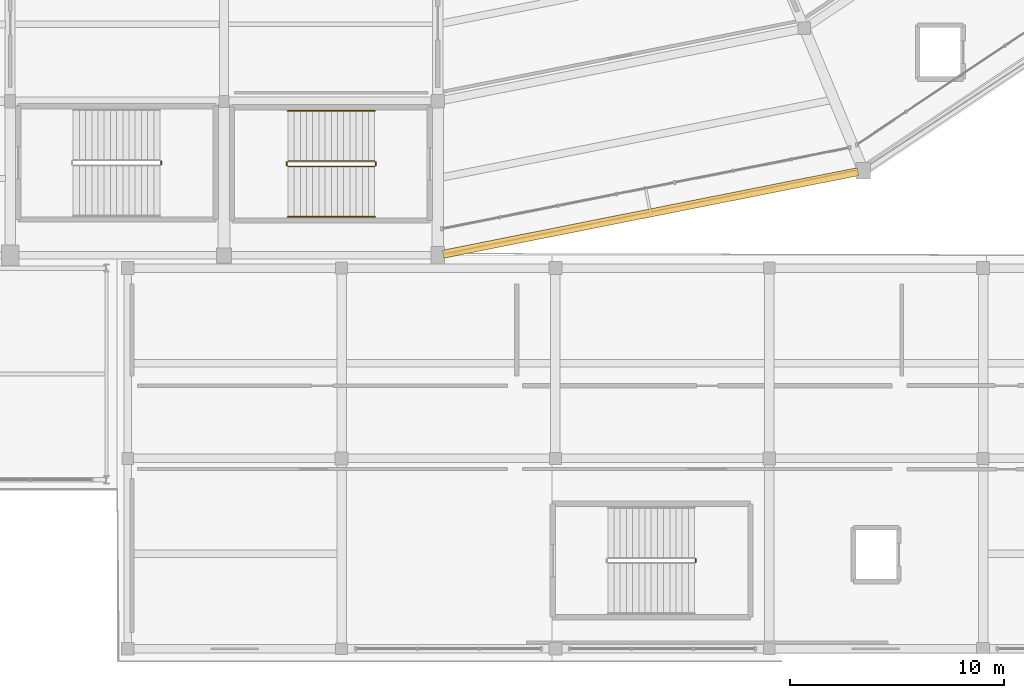
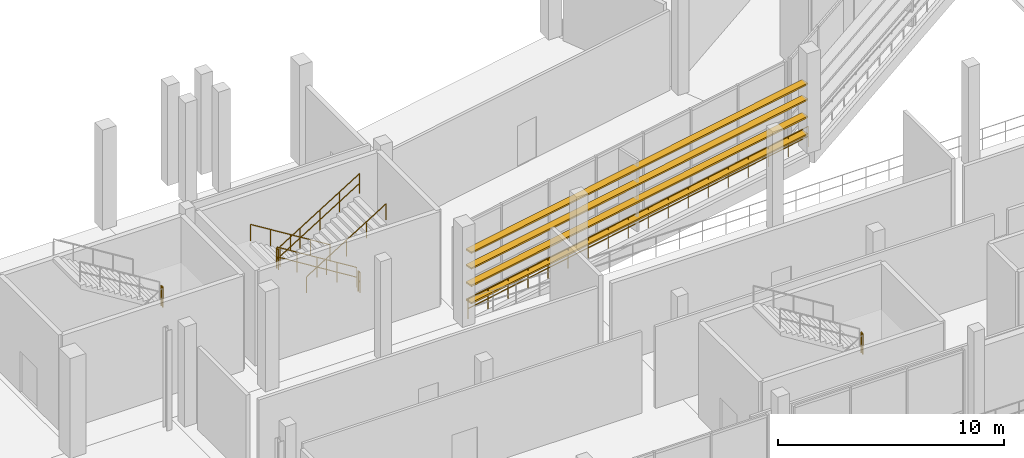
# One storey, part 100 of 111: 9 railings, 4 shading devices.
"""IFC4 building model written with IfcOpenShell, lengths in metres."""

import ifcopenshell
import ifcopenshell.guid

model = None  # the IFC model being written
_history = None  # IfcOwnerHistory: only IFC2X3 demands one
_inside = {}  # id of a spatial element -> (the spatial element, [elements in it])
_under = {}  # id of a project, library or spatial element -> (it, [spatial elements below it])
_declared = {}  # id of a project -> (the project, [libraries it declares])
_typed = {}  # id of a type object -> (the type object, [elements of that type])
_made_of = {}  # id of a material, layer set ... -> (it, [elements and type objects made of it])


def new_model(schema):
    """Start an empty IFC model of exactly this schema.

    Asked for "IFC4X3", IfcOpenShell would pick the latest addendum, in which some entities
    have other attributes; the version numbers below select the first issue.
    IFC2X3 requires an IfcOwnerHistory on every rooted entity: one is made here for all.
    """
    global model, _history
    if schema == "IFC4X3":
        model = ifcopenshell.file(schema_version=(4, 3, 0, 0))
    else:
        model = ifcopenshell.file(schema=schema)
    _inside.clear()
    _under.clear()
    _declared.clear()
    _typed.clear()
    _made_of.clear()
    _history = None
    if model.schema == "IFC2X3":
        org = make("IfcOrganization", Name="unknown")
        user = make(
            "IfcPersonAndOrganization",
            ThePerson=make("IfcPerson", FamilyName="unknown"),
            TheOrganization=org,
        )
        app = make(
            "IfcApplication",
            ApplicationDeveloper=org,
            Version="unknown",
            ApplicationFullName="unknown",
            ApplicationIdentifier="unknown",
        )
        _history = make(
            "IfcOwnerHistory",
            OwningUser=user,
            OwningApplication=app,
            ChangeAction="ADDED",
            CreationDate=0,
        )
    return model


def make(cls, **values):
    """One entity of the class cls with the attributes given. An attribute that is None is left unset."""
    return model.create_entity(
        cls, **{name: value for name, value in values.items() if value is not None}
    )


def rooted(cls, **values):
    """An entity with a GlobalId (a new one), such as an element, a storey or a relation."""
    return make(cls, GlobalId=ifcopenshell.guid.new(), OwnerHistory=_history, **values)


def si_unit(unit_type, name, prefix=None):
    """IfcSIUnit, for example si_unit("LENGTHUNIT", "METRE", prefix="MILLI")."""
    return make("IfcSIUnit", UnitType=unit_type, Prefix=prefix, Name=name)


def assignment(units):
    """IfcUnitAssignment: the units of a project."""
    return None if units is None else make("IfcUnitAssignment", Units=units)


def point(xyz):
    """IfcCartesianPoint."""
    return None if xyz is None else make("IfcCartesianPoint", Coordinates=xyz)


def direction(xyz):
    """IfcDirection."""
    return None if xyz is None else make("IfcDirection", DirectionRatios=xyz)


def frame(location, z_axis=None, x_axis=None):
    """IfcAxis2Placement3D, a coordinate frame: its origin and axes. An axis left out is left unset."""
    return make(
        "IfcAxis2Placement3D",
        Location=point(location),
        Axis=direction(z_axis),
        RefDirection=direction(x_axis),
    )


def frame_2d(location, x_axis=None):
    """IfcAxis2Placement2D, a coordinate frame in the plane: its origin and x axis."""
    return make(
        "IfcAxis2Placement2D", Location=point(location), RefDirection=direction(x_axis)
    )


def origin():
    """The frame at (0, 0, 0) with its axes left unset."""
    return frame((0.0, 0.0, 0.0))


def origin_2d():
    """The frame at (0, 0) in the plane with its x axis left unset."""
    return frame_2d((0.0, 0.0))


def place(relative_to, where):
    """IfcLocalPlacement: puts the frame where relative to a parent placement (None: the world)."""
    return make(
        "IfcLocalPlacement", PlacementRelTo=relative_to, RelativePlacement=where
    )


def context(
    kind, dimensions, precision=None, world=None, true_north=None, identifier=None
):
    """IfcGeometricRepresentationContext, for example the 3D "Model" context."""
    return make(
        "IfcGeometricRepresentationContext",
        ContextIdentifier=identifier,
        ContextType=kind,
        CoordinateSpaceDimension=dimensions,
        Precision=precision,
        WorldCoordinateSystem=world,
        TrueNorth=true_north,
    )


def subcontext(parent, identifier, kind, view, scale=None):
    """IfcGeometricRepresentationSubContext, for example "Body" below "Model"."""
    return make(
        "IfcGeometricRepresentationSubContext",
        ContextIdentifier=identifier,
        ContextType=kind,
        ParentContext=parent,
        TargetScale=scale,
        TargetView=view,
    )


def project(units=None, contexts=None):
    """IfcProject with its units and contexts."""
    return rooted(
        "IfcProject",
        Name="project",
        RepresentationContexts=contexts,
        UnitsInContext=assignment(units),
    )


def spatial(cls, under=None, at=None, **own):
    """A site, building, storey or space (cls), placed at a placement, below another one or the project."""
    s = rooted(cls, ObjectPlacement=at, **own)
    if under is not None:
        _under.setdefault(under.id(), (under, []))[1].append(s)
    return s


def profile(cls, at=None, kind="AREA", **sizes):
    """A parametric profile (cls). Its sizes go by their IFC names, for example OverallWidth=200.0."""
    return make(cls, ProfileType=kind, Position=at, **sizes)


def rectangle(**sizes):
    """IfcRectangleProfileDef."""
    return profile("IfcRectangleProfileDef", **sizes)


def circle(**sizes):
    """IfcCircleProfileDef."""
    return profile("IfcCircleProfileDef", **sizes)


def extrude(swept, where, along, depth):
    """IfcExtrudedAreaSolid: the profile swept, set in the frame where, extruded along a direction by depth."""
    return make(
        "IfcExtrudedAreaSolid",
        SweptArea=swept,
        Position=where,
        ExtrudedDirection=direction(along),
        Depth=depth,
    )


def shape(context_of_items, identifier, shape_type, items):
    """IfcShapeRepresentation: the items that make up one representation, for example the "Body"."""
    return make(
        "IfcShapeRepresentation",
        ContextOfItems=context_of_items,
        RepresentationIdentifier=identifier,
        RepresentationType=shape_type,
        Items=items,
    )


def material(Name=None, Category=None):
    """IfcMaterial."""
    return make("IfcMaterial", Name=Name, Category=Category)


def layer(
    of_material, thickness, ventilated=None, Name=None, Category=None, Priority=None
):
    """IfcMaterialLayer: one layer of a wall or slab, of a material (None: an air gap)."""
    return make(
        "IfcMaterialLayer",
        Material=of_material,
        LayerThickness=thickness,
        IsVentilated=ventilated,
        Name=Name,
        Category=Category,
        Priority=Priority,
    )


def layer_set(layers, Name=None):
    """IfcMaterialLayerSet."""
    return make("IfcMaterialLayerSet", MaterialLayers=layers, LayerSetName=Name)


def made_of(thing, what):
    """Note that an element or type object is made of a material, layer set ...; save() writes the relation."""
    if what is not None:
        _made_of.setdefault(what.id(), (what, []))[1].append(thing)
    return thing


def type_object(cls, material=None, **own):
    """A type object (cls), such as IfcWallType, which elements share."""
    return made_of(rooted(cls, **own), material)


def element(
    cls,
    number,
    at=None,
    inside=None,
    cuts=None,
    type_object=None,
    material=None,
    context=None,
    identifier="Body",
    shape_type=None,
    held_by="IfcProductDefinitionShape",
    body=None,
    shapes=None,
    **own,
):
    """One element of the class cls, such as IfcWall. Its Tag is "e" and its number.

    at: its placement. inside: the storey or other place that contains it. cuts: it is an
    opening in that element (IfcRelVoidsElement). A single representation is given by context,
    identifier, shape_type and body (its items); several are given by shapes. held_by: the class
    of the entity that holds the representations. save() writes the other relations.
    """
    e = rooted(cls, Tag="e%d" % number, ObjectPlacement=at, **own)
    if body is not None:
        shapes = [shape(context, identifier, shape_type, body)]
    if shapes is not None:
        e.Representation = make(held_by, Representations=shapes)
    if inside is not None:
        _inside.setdefault(inside.id(), (inside, []))[1].append(e)
    if cuts is not None:
        rooted(
            "IfcRelVoidsElement", RelatingBuildingElement=cuts, RelatedOpeningElement=e
        )
    if type_object is not None:
        _typed.setdefault(type_object.id(), (type_object, []))[1].append(e)
    return made_of(e, material)


def aggregate(whole, parts):
    """IfcRelAggregates: a whole, such as a stair, and the parts it consists of."""
    return rooted("IfcRelAggregates", RelatingObject=whole, RelatedObjects=parts)


def save(model, path):
    """Write the relations noted so far, then the file.

    IfcRelAggregates (storeys below a building ...), IfcRelContainedInSpatialStructure (elements
    in a storey), IfcRelDefinesByType, IfcRelAssociatesMaterial and IfcRelDeclares: one each for
    every whole, place, type object, material and project.
    """
    for whole, parts in _under.values():
        aggregate(whole, parts)
    for where, things in _inside.values():
        rooted(
            "IfcRelContainedInSpatialStructure",
            RelatedElements=things,
            RelatingStructure=where,
        )
    for kind, things in _typed.values():
        rooted("IfcRelDefinesByType", RelatedObjects=things, RelatingType=kind)
    for what, things in _made_of.values():
        rooted("IfcRelAssociatesMaterial", RelatedObjects=things, RelatingMaterial=what)
    for by, libraries in _declared.values():
        rooted("IfcRelDeclares", RelatingContext=by, RelatedDefinitions=libraries)
    model.write(path)


model = new_model("IFC4")

# Units and contexts
model_context = context("Model", 3, precision=1e-05, world=origin(), true_north=direction((0.0, 1.0)))
body_context = subcontext(model_context, "Body", "Model", "MODEL_VIEW")
ifc_project = project(units=[si_unit("LENGTHUNIT", "METRE"), si_unit("AREAUNIT", "SQUARE_METRE"), si_unit("VOLUMEUNIT", "CUBIC_METRE"), si_unit("PLANEANGLEUNIT", "RADIAN"), si_unit("MASSUNIT", "GRAM", prefix="KILO")], contexts=[model_context])

# Site, building, storey
site_placement = place(None, origin())
site = spatial("IfcSite", under=ifc_project, at=site_placement, CompositionType="ELEMENT")
building_placement = place(site_placement, origin())
building = spatial("IfcBuilding", under=site, at=building_placement, Name="Candeia Ridge Stadium", CompositionType="ELEMENT")
storey_placement = place(building_placement, frame((0.0, 0.0, 16.199951171875)))
storey = spatial("IfcBuildingStorey", under=building, at=storey_placement, Name="L03", CompositionType="ELEMENT", Elevation=16.199951171875)

# Railings
ifc_material_1 = material(Name="Galvanized Powder-Coated Steel", Category="steel")
ifc_layer_1 = layer(ifc_material_1, 0.074951171875, Name="Galvanized Powder-Coated Steel", Category="steel")
ifc_layer_set_1 = layer_set([ifc_layer_1], Name="Galvanized Powder-Coated Steel")
railing_type_1 = type_object("IfcRailingType", Name="Spectator Bowl Front Guardrail 1120", PredefinedType="GUARDRAIL", material=ifc_layer_set_1)
railing_1_placement = place(storey_placement, frame((160.8837890625, 23.036865234375, 0.0)))
element("IfcRailing", 1, at=railing_1_placement, inside=storey, type_object=railing_type_1, Name="Deck edge safety guardrail GR-DE-L03-0164", PredefinedType="GUARDRAIL", context=body_context, shape_type="SweptSolid", body=[
    extrude(circle(Radius=0.02392578125, at=origin_2d()), frame((0.0, 0.0, 1.09619140625), z_axis=(-0.980074126306, -0.198632089417, 0.0), x_axis=(0.198632089417, -0.980074126306, 0.0)), (0.0, 0.0, 1.0), 20.055419921875),
    extrude(circle(Radius=0.02392578125, at=origin_2d()), frame((0.0, 0.0, 0.56005859375), z_axis=(-0.980074126306, -0.198632089417, 0.0), x_axis=(0.198632089417, -0.980074126306, 0.0)), (0.0, 0.0, 1.0), 20.055419921875),
    extrude(circle(Radius=0.02099609375, at=origin_2d()), origin(), (0.0, 0.0, 1.0), 1.072021484375),
    extrude(circle(Radius=0.02099609375, at=origin_2d()), frame((-1.15625, -0.234375, 0.0)), (0.0, 0.0, 1.0), 1.072021484375),
    extrude(circle(Radius=0.02099609375, at=origin_2d()), frame((-2.3125, -0.46875, 0.0)), (0.0, 0.0, 1.0), 1.072021484375),
    extrude(circle(Radius=0.02099609375, at=origin_2d()), frame((-3.46875, -0.702880859375, 0.0)), (0.0, 0.0, 1.0), 1.072021484375),
    extrude(circle(Radius=0.02099609375, at=origin_2d()), frame((-4.625, -0.937255859375, 0.0)), (0.0, 0.0, 1.0), 1.072021484375),
    extrude(circle(Radius=0.02099609375, at=origin_2d()), frame((-5.781005859375, -1.171630859375, 0.0)), (0.0, 0.0, 1.0), 1.072021484375),
    extrude(circle(Radius=0.02099609375, at=origin_2d()), frame((-6.937255859375, -1.406005859375, 0.0)), (0.0, 0.0, 1.0), 1.072021484375),
    extrude(circle(Radius=0.02099609375, at=origin_2d()), frame((-8.093505859375, -1.640380859375, 0.0)), (0.0, 0.0, 1.0), 1.072021484375),
    extrude(circle(Radius=0.02099609375, at=origin_2d()), frame((-9.249755859375, -1.874755859375, 0.0)), (0.0, 0.0, 1.0), 1.072021484375),
    extrude(circle(Radius=0.02099609375, at=origin_2d()), frame((-10.406005859375, -2.10888671875, 0.0)), (0.0, 0.0, 1.0), 1.072021484375),
    extrude(circle(Radius=0.02099609375, at=origin_2d()), frame((-11.562255859375, -2.34326171875, 0.0)), (0.0, 0.0, 1.0), 1.072021484375),
    extrude(circle(Radius=0.02099609375, at=origin_2d()), frame((-12.718505859375, -2.57763671875, 0.0)), (0.0, 0.0, 1.0), 1.072021484375),
    extrude(circle(Radius=0.02099609375, at=origin_2d()), frame((-13.874755859375, -2.81201171875, 0.0)), (0.0, 0.0, 1.0), 1.072021484375),
    extrude(circle(Radius=0.02099609375, at=origin_2d()), frame((-15.03076171875, -3.04638671875, 0.0)), (0.0, 0.0, 1.0), 1.072021484375),
    extrude(circle(Radius=0.02099609375, at=origin_2d()), frame((-16.18701171875, -3.28076171875, 0.0)), (0.0, 0.0, 1.0), 1.072021484375),
    extrude(circle(Radius=0.02099609375, at=origin_2d()), frame((-17.34326171875, -3.514892578125, 0.0)), (0.0, 0.0, 1.0), 1.072021484375),
    extrude(circle(Radius=0.02099609375, at=origin_2d()), frame((-18.49951171875, -3.749267578125, 0.0)), (0.0, 0.0, 1.0), 1.072021484375),
    extrude(circle(Radius=0.02099609375, at=origin_2d()), frame((-19.65576171875, -3.983642578125, 0.0)), (0.0, 0.0, 1.0), 1.072021484375),
])
ifc_material_2 = material(Name="Brushed Stainless Steel", Category="steel")
ifc_layer_2 = layer(ifc_material_2, 0.048095703125, Name="Brushed Stainless Steel", Category="steel")
ifc_layer_set_2 = layer_set([ifc_layer_2], Name="Brushed Stainless Steel")
railing_type_2 = type_object("IfcRailingType", Name="Stair Wall & Flight Handrail 900", PredefinedType="HANDRAIL", material=ifc_layer_set_2)
railing_2_placement = place(storey_placement, frame((138.050048828125, 25.75, 0.179931640625)))
element("IfcRailing", 2, at=railing_2_placement, inside=storey, type_object=railing_type_2, Name="L03 ST03 stair handrail 1", PredefinedType="HANDRAIL", context=body_context, shape_type="SweptSolid", body=[
    extrude(circle(Radius=0.02392578125, at=origin_2d()), frame((0.0, 0.0, 0.8759765625), z_axis=(-0.849641744969, 0.0, 0.527360318194), x_axis=(0.0, -1.0, 0.0)), (0.0, 0.0, 1.0), 4.778564453125),
    extrude(circle(Radius=0.02099609375, at=origin_2d()), origin(), (0.0, 0.0, 1.0), 0.851806640625),
    extrude(circle(Radius=0.02099609375, at=origin_2d()), frame((-1.01513671875, 0.0, 0.6298828125)), (0.0, 0.0, 1.0), 0.851806640625),
    extrude(circle(Radius=0.02099609375, at=origin_2d()), frame((-2.030029296875, 0.0, 1.260009765625)), (0.0, 0.0, 1.0), 0.851806640625),
    extrude(circle(Radius=0.02099609375, at=origin_2d()), frame((-3.044921875, 0.0, 1.89013671875)), (0.0, 0.0, 1.0), 0.851806640625),
    extrude(circle(Radius=0.02099609375, at=origin_2d()), frame((-4.06005859375, 0.0, 2.52001953125)), (0.0, 0.0, 1.0), 0.851806640625),
])
railing_3_placement = place(storey_placement, frame((133.989990234375, 20.800048828125, 2.880126953125)))
element("IfcRailing", 3, at=railing_3_placement, inside=storey, type_object=railing_type_2, Name="L03 ST03 stair handrail 2", PredefinedType="HANDRAIL", context=body_context, shape_type="SweptSolid", body=[
    extrude(circle(Radius=0.02392578125, at=origin_2d()), frame((0.0, 0.0, 0.8759765625), z_axis=(0.849641744969, 0.0, 0.527360318194), x_axis=(0.0, 1.0, 0.0)), (0.0, 0.0, 1.0), 4.778564453125),
    extrude(circle(Radius=0.02099609375, at=origin_2d()), origin(), (0.0, 0.0, 1.0), 0.851806640625),
    extrude(circle(Radius=0.02099609375, at=origin_2d()), frame((1.01513671875, 0.0, 0.6298828125)), (0.0, 0.0, 1.0), 0.851806640625),
    extrude(circle(Radius=0.02099609375, at=origin_2d()), frame((2.030029296875, 0.0, 1.260009765625)), (0.0, 0.0, 1.0), 0.851806640625),
    extrude(circle(Radius=0.02099609375, at=origin_2d()), frame((3.044921875, 0.0, 1.89013671875)), (0.0, 0.0, 1.0), 0.851806640625),
    extrude(circle(Radius=0.02099609375, at=origin_2d()), frame((4.06005859375, 0.0, 2.52001953125)), (0.0, 0.0, 1.0), 0.851806640625),
])
ifc_layer_3 = layer(ifc_material_1, 0.06005859375, Name="Galvanized Powder-Coated Steel", Category="steel")
ifc_layer_set_3 = layer_set([ifc_layer_3], Name="Galvanized Powder-Coated Steel")
railing_type_3 = type_object("IfcRailingType", Name="Stair Well Guardrail 1100", PredefinedType="GUARDRAIL", material=ifc_layer_set_3)
railing_4_placement = place(storey_placement, frame((138.050048828125, 23.39990234375, 0.179931640625)))
element("IfcRailing", 4, at=railing_4_placement, inside=storey, type_object=railing_type_3, Name="L03 ST03 stair guard 1", PredefinedType="GUARDRAIL", context=body_context, shape_type="SweptSolid", body=[
    extrude(circle(Radius=0.02392578125, at=origin_2d()), frame((0.0, 0.0, 1.076171875), z_axis=(-0.849641744969, 0.0, 0.527360318194), x_axis=(0.0, -1.0, 0.0)), (0.0, 0.0, 1.0), 4.778564453125),
    extrude(circle(Radius=0.02392578125, at=origin_2d()), frame((0.0, 0.0, 0.550048828125), z_axis=(-0.849641744969, 0.0, 0.527360318194), x_axis=(0.0, -1.0, 0.0)), (0.0, 0.0, 1.0), 4.778564453125),
    extrude(circle(Radius=0.02099609375, at=origin_2d()), origin(), (0.0, 0.0, 1.0), 1.052001953125),
    extrude(circle(Radius=0.02099609375, at=origin_2d()), frame((-1.01513671875, 0.0, 0.6298828125)), (0.0, 0.0, 1.0), 1.052001953125),
    extrude(circle(Radius=0.02099609375, at=origin_2d()), frame((-2.030029296875, 0.0, 1.260009765625)), (0.0, 0.0, 1.0), 1.052001953125),
    extrude(circle(Radius=0.02099609375, at=origin_2d()), frame((-3.044921875, 0.0, 1.89013671875)), (0.0, 0.0, 1.0), 1.052001953125),
    extrude(circle(Radius=0.02099609375, at=origin_2d()), frame((-4.06005859375, 0.0, 2.52001953125)), (0.0, 0.0, 1.0), 1.052001953125),
])
railing_5_placement = place(storey_placement, frame((133.93994140625, 23.35009765625, 2.699951171875)))
element("IfcRailing", 5, at=railing_5_placement, inside=storey, type_object=railing_type_3, Name="L03 ST03 stair guard 2", PredefinedType="GUARDRAIL", context=body_context, shape_type="SweptSolid", body=[
    extrude(circle(Radius=0.02392578125, at=origin_2d()), frame((0.0, 0.0, 1.076171875), z_axis=(0.0, -1.0, 0.0), x_axis=(1.0, 0.0, 0.0)), (0.0, 0.0, 1.0), 0.150146484375),
    extrude(circle(Radius=0.02392578125, at=origin_2d()), frame((0.0, 0.0, 0.550048828125), z_axis=(0.0, -1.0, 0.0), x_axis=(1.0, 0.0, 0.0)), (0.0, 0.0, 1.0), 0.150146484375),
    extrude(circle(Radius=0.02099609375, at=origin_2d()), origin(), (0.0, 0.0, 1.0), 1.052001953125),
    extrude(circle(Radius=0.02099609375, at=origin_2d()), frame((0.0, -0.150146484375, 0.0)), (0.0, 0.0, 1.0), 1.052001953125),
])
railing_6_placement = place(storey_placement, frame((133.989990234375, 23.14990234375, 2.880126953125)))
element("IfcRailing", 6, at=railing_6_placement, inside=storey, type_object=railing_type_3, Name="L03 ST03 stair guard 3", PredefinedType="GUARDRAIL", context=body_context, shape_type="SweptSolid", body=[
    extrude(circle(Radius=0.02392578125, at=origin_2d()), frame((0.0, 0.0, 1.076171875), z_axis=(0.849641744969, 0.0, 0.527360318194), x_axis=(0.0, 1.0, 0.0)), (0.0, 0.0, 1.0), 4.778564453125),
    extrude(circle(Radius=0.02392578125, at=origin_2d()), frame((0.0, 0.0, 0.550048828125), z_axis=(0.849641744969, 0.0, 0.527360318194), x_axis=(0.0, 1.0, 0.0)), (0.0, 0.0, 1.0), 4.778564453125),
    extrude(circle(Radius=0.02099609375, at=origin_2d()), origin(), (0.0, 0.0, 1.0), 1.052001953125),
    extrude(circle(Radius=0.02099609375, at=origin_2d()), frame((1.01513671875, 0.0, 0.6298828125)), (0.0, 0.0, 1.0), 1.052001953125),
    extrude(circle(Radius=0.02099609375, at=origin_2d()), frame((2.030029296875, 0.0, 1.260009765625)), (0.0, 0.0, 1.0), 1.052001953125),
    extrude(circle(Radius=0.02099609375, at=origin_2d()), frame((3.044921875, 0.0, 1.89013671875)), (0.0, 0.0, 1.0), 1.052001953125),
    extrude(circle(Radius=0.02099609375, at=origin_2d()), frame((4.06005859375, 0.0, 2.52001953125)), (0.0, 0.0, 1.0), 1.052001953125),
])
railing_7_placement = place(storey_placement, frame((138.10009765625, 23.35009765625, 0.0)))
element("IfcRailing", 7, at=railing_7_placement, inside=storey, type_object=railing_type_3, Name="L03 ST03 stair guard 4", PredefinedType="GUARDRAIL", context=body_context, shape_type="SweptSolid", body=[
    extrude(circle(Radius=0.02392578125, at=origin_2d()), frame((0.0, 0.0, 1.076171875), z_axis=(0.0, -1.0, 0.0), x_axis=(1.0, 0.0, 0.0)), (0.0, 0.0, 1.0), 0.150146484375),
    extrude(circle(Radius=0.02392578125, at=origin_2d()), frame((0.0, 0.0, 0.550048828125), z_axis=(0.0, -1.0, 0.0), x_axis=(1.0, 0.0, 0.0)), (0.0, 0.0, 1.0), 0.150146484375),
    extrude(circle(Radius=0.02099609375, at=origin_2d()), origin(), (0.0, 0.0, 1.0), 1.052001953125),
    extrude(circle(Radius=0.02099609375, at=origin_2d()), frame((0.0, -0.150146484375, 0.0)), (0.0, 0.0, 1.0), 1.052001953125),
])
railing_8_placement = place(storey_placement, frame((128.06005859375, 23.25, 2.699951171875)))
element("IfcRailing", 8, at=railing_8_placement, inside=storey, type_object=railing_type_3, Name="L03 ST12 stair guard 2", PredefinedType="GUARDRAIL", context=body_context, shape_type="SweptSolid", body=[
    extrude(circle(Radius=0.02392578125, at=origin_2d()), frame((0.0, 0.0, 1.076171875), z_axis=(0.0, 1.0, 0.0), x_axis=(-1.0, 0.0, 0.0)), (0.0, 0.0, 1.0), 0.14990234375),
    extrude(circle(Radius=0.02392578125, at=origin_2d()), frame((0.0, 0.0, 0.550048828125), z_axis=(0.0, 1.0, 0.0), x_axis=(-1.0, 0.0, 0.0)), (0.0, 0.0, 1.0), 0.14990234375),
    extrude(circle(Radius=0.02099609375, at=origin_2d()), origin(), (0.0, 0.0, 1.0), 1.052001953125),
    extrude(circle(Radius=0.02099609375, at=origin_2d()), frame((0.0, 0.14990234375, 0.0)), (0.0, 0.0, 1.0), 1.052001953125),
])
railing_9_placement = place(storey_placement, frame((153.06005859375, 4.64990234375, 2.699951171875)))
element("IfcRailing", 9, at=railing_9_placement, inside=storey, type_object=railing_type_3, Name="L03 ST14 stair guard 2", PredefinedType="GUARDRAIL", context=body_context, shape_type="SweptSolid", body=[
    extrude(circle(Radius=0.02392578125, at=origin_2d()), frame((0.0, 0.0, 1.076171875), z_axis=(0.0, 1.0, 0.0), x_axis=(-1.0, 0.0, 0.0)), (0.0, 0.0, 1.0), 0.150146484375),
    extrude(circle(Radius=0.02392578125, at=origin_2d()), frame((0.0, 0.0, 0.550048828125), z_axis=(0.0, 1.0, 0.0), x_axis=(-1.0, 0.0, 0.0)), (0.0, 0.0, 1.0), 0.150146484375),
    extrude(circle(Radius=0.02099609375, at=origin_2d()), origin(), (0.0, 0.0, 1.0), 1.052001953125),
    extrude(circle(Radius=0.02099609375, at=origin_2d()), frame((0.0, 0.150146484375, 0.0)), (0.0, 0.0, 1.0), 1.052001953125),
])

# Shading devices
ifc_material_3 = material(Name="Aluminium Anodized Warm Bronze", Category="aluminium")
shading_device_type = type_object("IfcShadingDeviceType", Name="Weathered Bronze Horizontal Solar Rib 380x85", PredefinedType="JALOUSIE", material=ifc_material_3)
for number, where, z_axis, x_axis, name in (
    (10, (150.94970703125, 20.979248046875, 0.891357421875), (0.0, 0.0, 1.0), (0.980785282416, 0.195090311899, 0.0), "Weathered bronze horizontal solar rib L03 bay 26-1"),
    (11, (150.94970703125, 20.979248046875, 1.825439453125), (0.0, 0.0, 1.0), (0.980785282416, 0.195090311899, 0.0), "Weathered bronze horizontal solar rib L03 bay 26-2"),
    (12, (150.94970703125, 20.979248046875, 2.75927734375), (0.0, 0.0, 1.0), (0.980785282416, 0.195090311899, 0.0), "Weathered bronze horizontal solar rib L03 bay 26-3"),
    (13, (150.94970703125, 20.979248046875, 3.608154296875), (0.0, 0.0, 1.0), (0.980785282416, 0.195090311899, 0.0), "Weathered bronze horizontal solar rib L03 bay 26-4"),
):
    element("IfcShadingDevice", number, at=place(storey_placement, frame(where, z_axis=z_axis, x_axis=x_axis)), inside=storey, type_object=shading_device_type, Name=name, PredefinedType="JALOUSIE", context=body_context, shape_type="SweptSolid", body=[
        extrude(rectangle(XDim=19.789306640625, YDim=0.3798828125, at=origin_2d()), origin(), (0.0, 0.0, 1.0), 0.0849609375),
    ])

save(model, "model.ifc")
